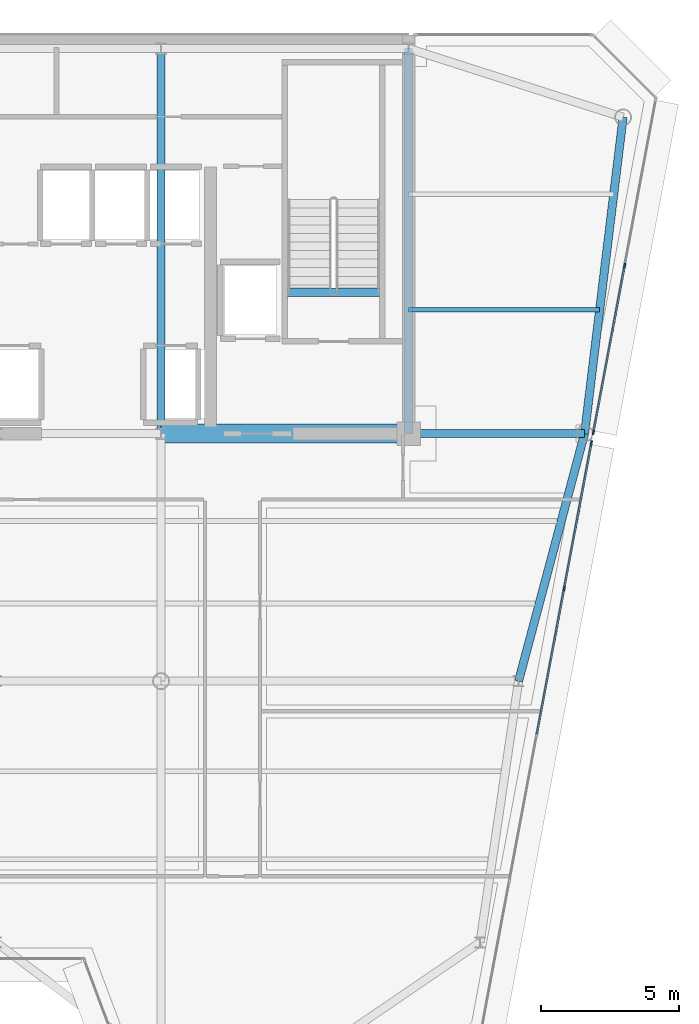
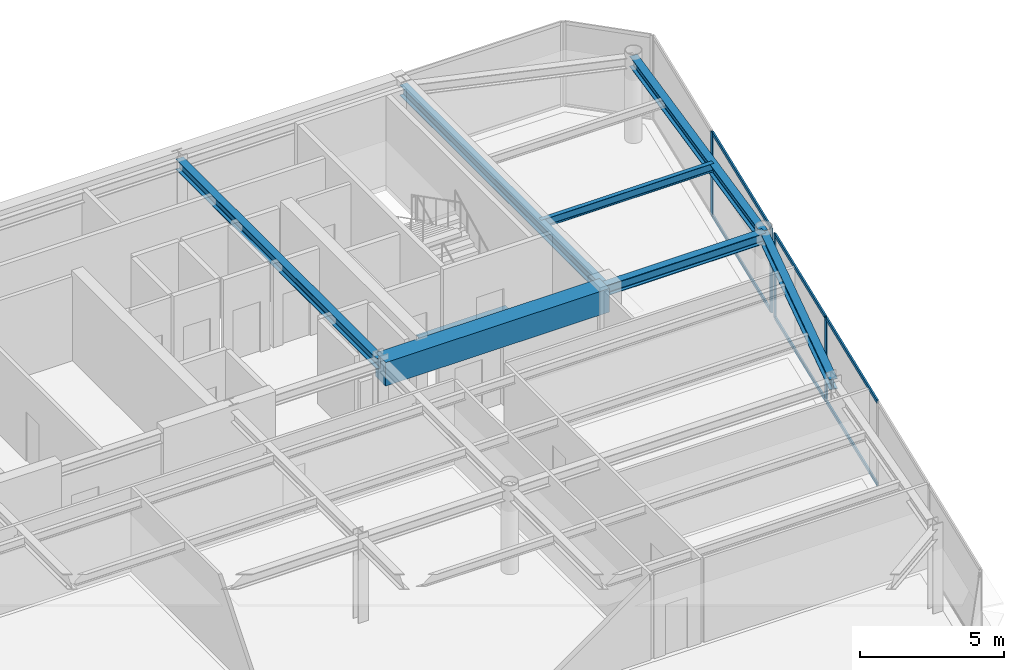
# One storey, part 7 of 20: 10 members, 8 beams, 2 elements without a shape of their own.
"""IFC4 building model written with IfcOpenShell, lengths in metres."""

from ifc_helpers import new_model, si_unit, direction, frame, origin, origin_2d, place, context, subcontext, project, spatial, rectangle, i_section, extrude, source, transform, mapped, material, layer, layer_set, material_profile, profile_set, type_object, element, aggregate, save


model = new_model("IFC4")

# Units and contexts
model_context = context("Model", 3, precision=1e-05, world=origin(), true_north=direction((0.0, 1.0)))
body_context = subcontext(model_context, "Body", "Model", "MODEL_VIEW")
ifc_project = project(units=[si_unit("LENGTHUNIT", "METRE"), si_unit("AREAUNIT", "SQUARE_METRE"), si_unit("VOLUMEUNIT", "CUBIC_METRE"), si_unit("PLANEANGLEUNIT", "RADIAN"), si_unit("MASSUNIT", "GRAM", prefix="KILO")], contexts=[model_context])

# Site, building, storey
site_placement = place(None, origin())
site = spatial("IfcSite", under=ifc_project, at=site_placement, CompositionType="ELEMENT")
building_placement = place(site_placement, origin())
building = spatial("IfcBuilding", under=site, at=building_placement, Name="Vaeldorn Concourse Tower", CompositionType="ELEMENT")
storey_placement = place(building_placement, frame((0.0, 0.0, 284.0)))
storey = spatial("IfcBuildingStorey", under=building, at=storey_placement, Name="L73", CompositionType="ELEMENT", Elevation=284.0)

# Beams
ifc_material_1 = material(Name="Concrete C50/60", Category="concrete")
ifc_material_profile_1 = material_profile(ifc_material_1, rectangle(XDim=0.699951171875, YDim=1.0, at=origin_2d()), Name="RC 700x1000")
ifc_profile_set_1 = profile_set([ifc_material_profile_1], Name="Concrete C50/60")
beam_type_1 = type_object("IfcBeamType", Name="BM-CB-RC700", PredefinedType="BEAM", material=ifc_profile_set_1)
shared_shape_1 = source(origin(), body_context, "Body", "SweptSolid", [
    extrude(rectangle(XDim=0.699951171875, YDim=1.0, at=origin_2d()), origin(), (0.0, 0.0, 1.0), 9.0),
])
beam_1_placement = place(storey_placement, frame((45.0, 36.5, 3.080078125), z_axis=(1.0, 0.0, 0.0), x_axis=(0.0, 1.0, 0.0)))
element("IfcBeam", 1, at=beam_1_placement, inside=storey, type_object=beam_type_1, Name="Core Coupling Beam L73-2", PredefinedType="BEAM", context=body_context, shape_type="MappedRepresentation", body=[
    mapped(shared_shape_1, transform((0.0, 0.0, 0.0), scale=1.0)),
])
ifc_material_2 = material(Name="Steel S355", Category="steel")
ifc_material_profile_2 = material_profile(ifc_material_2, i_section(OverallWidth=0.300048828125, OverallDepth=0.340087890625, WebThickness=0.011962890625, FlangeThickness=0.021484375, FilletRadius=0.027099609375, at=origin_2d()), Name="HEB 340")
ifc_profile_set_2 = profile_set([ifc_material_profile_2], Name="Steel S355")
beam_type_2 = type_object("IfcBeamType", Name="BM-ST-TRIM", PredefinedType="BEAM", material=ifc_profile_set_2)
shared_shape_2 = source(origin(), body_context, "Body", "SweptSolid", [
    extrude(i_section(OverallWidth=0.300048828125, OverallDepth=0.340087890625, WebThickness=0.011962890625, FlangeThickness=0.021484375, FilletRadius=0.027099609375, at=origin_2d()), origin(), (0.0, 0.0, 1.0), 3.590087890625),
])
beam_2_placement = place(storey_placement, frame((49.47998046875, 41.639892578125, -0.389892578125), z_axis=(1.0, 0.0, 0.0), x_axis=(0.0, 1.0, 0.0)))
element("IfcBeam", 2, at=beam_2_placement, inside=storey, type_object=beam_type_2, Name="Stair Landing Trimmer Beam ST-2 L73", PredefinedType="BEAM", context=body_context, shape_type="MappedRepresentation", body=[
    mapped(shared_shape_2, transform((0.0, 0.0, 0.0), scale=1.0)),
])
ifc_material_profile_3 = material_profile(ifc_material_2, i_section(OverallWidth=0.169921875, OverallDepth=0.360107421875, WebThickness=0.008056640625, FlangeThickness=0.0126953125, FilletRadius=0.01806640625, at=origin_2d()), Name="IPE 360")
ifc_profile_set_3 = profile_set([ifc_material_profile_3], Name="Steel S355")
beam_type_3 = type_object("IfcBeamType", Name="BM-JS-IPE360", PredefinedType="JOIST", material=ifc_profile_set_3)
shared_shape_3 = source(origin(), body_context, "Body", "SweptSolid", [
    extrude(i_section(OverallWidth=0.169921875, OverallDepth=0.360107421875, WebThickness=0.008056640625, FlangeThickness=0.0126953125, FilletRadius=0.01806640625, at=origin_2d()), origin(), (0.0, 0.0, 1.0), 6.94775390625),
])
beam_3_placement = place(storey_placement, frame((54.0, 41.0, 3.39990234375), z_axis=(1.0, 0.0, 0.0), x_axis=(0.0, 1.0, 0.0)))
element("IfcBeam", 3, at=beam_3_placement, inside=storey, type_object=beam_type_3, Name="Beam JS-L73-NE-410", PredefinedType="JOIST", context=body_context, shape_type="MappedRepresentation", body=[
    mapped(shared_shape_3, transform((0.0, 0.0, 0.0), scale=1.0)),
])
ifc_material_profile_4 = material_profile(ifc_material_2, i_section(OverallWidth=0.300048828125, OverallDepth=0.449951171875, WebThickness=0.013916015625, FlangeThickness=0.02587890625, FilletRadius=0.027099609375, at=origin_2d()), Name="HEB 450")
ifc_profile_set_4 = profile_set([ifc_material_profile_4], Name="Steel S355")
beam_type_4 = type_object("IfcBeamType", Name="BM-PG-HEB450", PredefinedType="BEAM", material=ifc_profile_set_4)
shared_shape_4 = source(origin(), body_context, "Body", "SweptSolid", [
    extrude(i_section(OverallWidth=0.300048828125, OverallDepth=0.449951171875, WebThickness=0.013916015625, FlangeThickness=0.02587890625, FilletRadius=0.027099609375, at=origin_2d()), origin(), (0.0, 0.0, 1.0), 14.0),
])
for number, where, z_axis, x_axis, name in (
    (4, (45.0, 36.5, 3.35498046875), (0.0, 1.0, 0.0), (-1.0, 0.0, 0.0), "Beam BM-L73-C-FC5-C-HC4"),
    (5, (54.0, 36.5, 3.35498046875), (0.0, 1.0, 0.0), (-1.0, 0.0, 0.0), "Beam BM-L73-C-FC6-C-HC5"),
):
    element("IfcBeam", number, at=place(storey_placement, frame(where, z_axis=z_axis, x_axis=x_axis)), inside=storey, type_object=beam_type_4, Name=name, PredefinedType="BEAM", context=body_context, shape_type="MappedRepresentation", body=[
        mapped(shared_shape_4, transform((0.0, 0.0, 0.0), scale=1.0)),
    ])
shared_shape_5 = source(origin(), body_context, "Body", "SweptSolid", [
    extrude(i_section(OverallWidth=0.300048828125, OverallDepth=0.449951171875, WebThickness=0.013916015625, FlangeThickness=0.02587890625, FilletRadius=0.027099609375, at=origin_2d()), origin(), (0.0, 0.0, 1.0), 11.5849609375),
])
beam_4_placement = place(storey_placement, frame((61.800048828125, 48.0, 3.35498046875), z_axis=(-0.120859382899, -0.992669637677, 0.0), x_axis=(0.992669637677, -0.120859382899, 0.0)))
element("IfcBeam", 6, at=beam_4_placement, inside=storey, type_object=beam_type_4, Name="Beam BM-L73-C-NE1-C-NE2", PredefinedType="BEAM", context=body_context, shape_type="MappedRepresentation", body=[
    mapped(shared_shape_5, transform((0.0, 0.0, 0.0), scale=1.0)),
])
shared_shape_6 = source(origin(), body_context, "Body", "SweptSolid", [
    extrude(i_section(OverallWidth=0.300048828125, OverallDepth=0.449951171875, WebThickness=0.013916015625, FlangeThickness=0.02587890625, FilletRadius=0.027099609375, at=origin_2d()), origin(), (0.0, 0.0, 1.0), 6.39990234375),
])
beam_5_placement = place(storey_placement, frame((54.0, 36.5, 3.35498046875), z_axis=(1.0, 0.0, 0.0), x_axis=(0.0, 1.0, 0.0)))
element("IfcBeam", 7, at=beam_5_placement, inside=storey, type_object=beam_type_4, Name="Beam BM-L73-C-FC6-C-NE2", PredefinedType="BEAM", context=body_context, shape_type="MappedRepresentation", body=[
    mapped(shared_shape_6, transform((0.0, 0.0, 0.0), scale=1.0)),
])
shared_shape_7 = source(origin(), body_context, "Body", "SweptSolid", [
    extrude(i_section(OverallWidth=0.300048828125, OverallDepth=0.449951171875, WebThickness=0.013916015625, FlangeThickness=0.02587890625, FilletRadius=0.027099609375, at=origin_2d()), origin(), (0.0, 0.0, 1.0), 9.314453125),
])
beam_6_placement = place(storey_placement, frame((60.39990234375, 36.5, 3.35498046875), z_axis=(-0.257652862255, -0.966237549763, 0.0), x_axis=(0.966237549763, -0.257652862255, 0.0)))
element("IfcBeam", 8, at=beam_6_placement, inside=storey, type_object=beam_type_4, Name="Beam BM-L73-C-NE2-C-FLE1", PredefinedType="BEAM", context=body_context, shape_type="MappedRepresentation", body=[
    mapped(shared_shape_7, transform((0.0, 0.0, 0.0), scale=1.0)),
])

# Curtain wall, members
ifc_material_3 = material(Name="Anodised Bronze Aluminium", Category="aluminium")
ifc_layer = layer(ifc_material_3, 0.179931640625)
ifc_layer_set = layer_set([ifc_layer], Name="Anodised Bronze Aluminium")
curtain_wall_type = type_object("IfcCurtainWallType", Name="CW-SYS-05", PredefinedType="NOTDEFINED", material=ifc_layer_set)
curtain_wall_1_placement = place(storey_placement, origin())
curtain_wall_1 = element("IfcCurtainWall", 9, at=curtain_wall_1_placement, inside=storey, type_object=curtain_wall_type, Name="Unitised Curtain Wall CW-L73-E07-1", PredefinedType="NOTDEFINED")
ifc_material_profile_5 = material_profile(ifc_material_3, rectangle(XDim=0.06494140625, YDim=0.169921875, at=origin_2d()), Name="CWM 65x170")
ifc_profile_set_5 = profile_set([ifc_material_profile_5], Name="Anodised Bronze Aluminium")
member_type_1 = type_object("IfcMemberType", Name="CWM-BRONZE-170", PredefinedType="MULLION", material=ifc_profile_set_5)
shared_shape_8 = source(origin(), body_context, "Body", "SweptSolid", [
    extrude(rectangle(XDim=0.06494140625, YDim=0.169921875, at=origin_2d()), origin(), (0.0, 0.0, 1.0), 3.580078125),
])
member_1_placement = place(storey_placement, frame((59.656494140625, 30.86376953125, 0.0), z_axis=(0.0, 0.0, 1.0), x_axis=(-0.982880027444, 0.184246714088, 0.0)))
member_1 = element("IfcMember", 10, at=member_1_placement, type_object=member_type_1, Name="CW-05 mullion 4", PredefinedType="MULLION", context=body_context, shape_type="MappedRepresentation", body=[
    mapped(shared_shape_8, transform((0.0, 0.0, 0.0), scale=1.0)),
])
member_2_placement = place(storey_placement, frame((60.64794921875, 36.153076171875, 0.0), z_axis=(0.0, 0.0, 1.0), x_axis=(-0.982880027444, 0.184246714088, 0.0)))
member_2 = element("IfcMember", 11, at=member_2_placement, type_object=member_type_1, Name="CW-05 mullion 5", PredefinedType="MULLION", context=body_context, shape_type="MappedRepresentation", body=[
    mapped(shared_shape_8, transform((0.0, 0.0, 0.0), scale=1.0)),
])

curtain_wall_2_placement = place(storey_placement, origin())
curtain_wall_2 = element("IfcCurtainWall", 12, at=curtain_wall_2_placement, inside=storey, type_object=curtain_wall_type, Name="Unitised Curtain Wall CW-L73-E07-2", PredefinedType="NOTDEFINED")
member_3_placement = place(storey_placement, frame((60.720947265625, 36.542236328125, 0.0), z_axis=(0.0, 0.0, 1.0), x_axis=(-0.982880218842, 0.184245693053, 0.0)))
member_3 = element("IfcMember", 13, at=member_3_placement, type_object=member_type_1, Name="CW-05 mullion 1", PredefinedType="MULLION", context=body_context, shape_type="MappedRepresentation", body=[
    mapped(shared_shape_8, transform((0.0, 0.0, 0.0), scale=1.0)),
])
member_4_placement = place(storey_placement, frame((61.857421875, 42.605224609375, 0.0), z_axis=(0.0, 0.0, 1.0), x_axis=(-0.982880218842, 0.184245693053, 0.0)))
member_4 = element("IfcMember", 14, at=member_4_placement, type_object=member_type_1, Name="CW-05 mullion 2", PredefinedType="MULLION", context=body_context, shape_type="MappedRepresentation", body=[
    mapped(shared_shape_8, transform((0.0, 0.0, 0.0), scale=1.0)),
])

# Member
ifc_material_profile_6 = material_profile(ifc_material_3, rectangle(XDim=0.06494140625, YDim=0.14990234375, at=origin_2d()), Name="CWT 65x150")
ifc_profile_set_6 = profile_set([ifc_material_profile_6], Name="Anodised Bronze Aluminium")
member_type_2 = type_object("IfcMemberType", Name="CWT-BRONZE-150", PredefinedType="USERDEFINED", material=ifc_profile_set_6)
shared_shape_9 = source(origin(), body_context, "Body", "SweptSolid", [
    extrude(rectangle(XDim=0.06494140625, YDim=0.14990234375, at=origin_2d()), origin(), (0.0, 0.0, 1.0), 5.31640625),
])
member_5_placement = place(storey_placement, frame((59.66259765625, 30.895751953125, 0.032470703125), z_axis=(0.184241399207, 0.982881023735, 0.0), x_axis=(-0.982881023735, 0.184241399207, 0.0)))
member_5 = element("IfcMember", 15, at=member_5_placement, type_object=member_type_2, Name="CW-05 transom 4.1", ObjectType="TRANSOM", PredefinedType="USERDEFINED", context=body_context, shape_type="MappedRepresentation", body=[
    mapped(shared_shape_9, transform((0.0, 0.0, 0.0), scale=1.0)),
])

member_6_placement = place(storey_placement, frame((59.66259765625, 30.895751953125, 3.547607421875), z_axis=(0.184241399207, 0.982881023735, 0.0), x_axis=(-0.982881023735, 0.184241399207, 0.0)))
member_6 = element("IfcMember", 16, at=member_6_placement, type_object=member_type_2, Name="CW-05 transom 4.2", ObjectType="TRANSOM", PredefinedType="USERDEFINED", context=body_context, shape_type="MappedRepresentation", body=[
    mapped(shared_shape_9, transform((0.0, 0.0, 0.0), scale=1.0)),
])

shared_shape_10 = source(origin(), body_context, "Body", "SweptSolid", [
    extrude(rectangle(XDim=0.06494140625, YDim=0.14990234375, at=origin_2d()), origin(), (0.0, 0.0, 1.0), 5.348876953125),
])
member_7_placement = place(storey_placement, frame((58.6650390625, 25.574462890625, 0.032470703125), z_axis=(0.184216882988, 0.982885618993, 0.0), x_axis=(-0.982885618993, 0.184216882988, 0.0)))
member_7 = element("IfcMember", 17, at=member_7_placement, type_object=member_type_2, Name="CW-05 transom 3.1", ObjectType="TRANSOM", PredefinedType="USERDEFINED", context=body_context, shape_type="MappedRepresentation", body=[
    mapped(shared_shape_10, transform((0.0, 0.0, 0.0), scale=1.0)),
])

member_8_placement = place(storey_placement, frame((58.6650390625, 25.574462890625, 3.547607421875), z_axis=(0.184216882988, 0.982885618993, 0.0), x_axis=(-0.982885618993, 0.184216882988, 0.0)))
member_8 = element("IfcMember", 18, at=member_8_placement, type_object=member_type_2, Name="CW-05 transom 3.2", ObjectType="TRANSOM", PredefinedType="USERDEFINED", context=body_context, shape_type="MappedRepresentation", body=[
    mapped(shared_shape_10, transform((0.0, 0.0, 0.0), scale=1.0)),
])

aggregate(curtain_wall_1, [member_1, member_2, member_7, member_8, member_5, member_6])

shared_shape_11 = source(origin(), body_context, "Body", "SweptSolid", [
    extrude(rectangle(XDim=0.06494140625, YDim=0.14990234375, at=origin_2d()), origin(), (0.0, 0.0, 1.0), 6.103515625),
])
member_9_placement = place(storey_placement, frame((60.72705078125, 36.57421875, 0.032470703125), z_axis=(0.18424023288, 0.982881242363, 0.0), x_axis=(-0.982881242363, 0.18424023288, 0.0)))
member_9 = element("IfcMember", 19, at=member_9_placement, type_object=member_type_2, Name="CW-05 transom 1.1", ObjectType="TRANSOM", PredefinedType="USERDEFINED", context=body_context, shape_type="MappedRepresentation", body=[
    mapped(shared_shape_11, transform((0.0, 0.0, 0.0), scale=1.0)),
])

member_10_placement = place(storey_placement, frame((60.72705078125, 36.57421875, 3.547607421875), z_axis=(0.18424023288, 0.982881242363, 0.0), x_axis=(-0.982881242363, 0.18424023288, 0.0)))
member_10 = element("IfcMember", 20, at=member_10_placement, type_object=member_type_2, Name="CW-05 transom 1.2", ObjectType="TRANSOM", PredefinedType="USERDEFINED", context=body_context, shape_type="MappedRepresentation", body=[
    mapped(shared_shape_11, transform((0.0, 0.0, 0.0), scale=1.0)),
])

aggregate(curtain_wall_2, [member_3, member_4, member_9, member_10])

save(model, "model.ifc")
